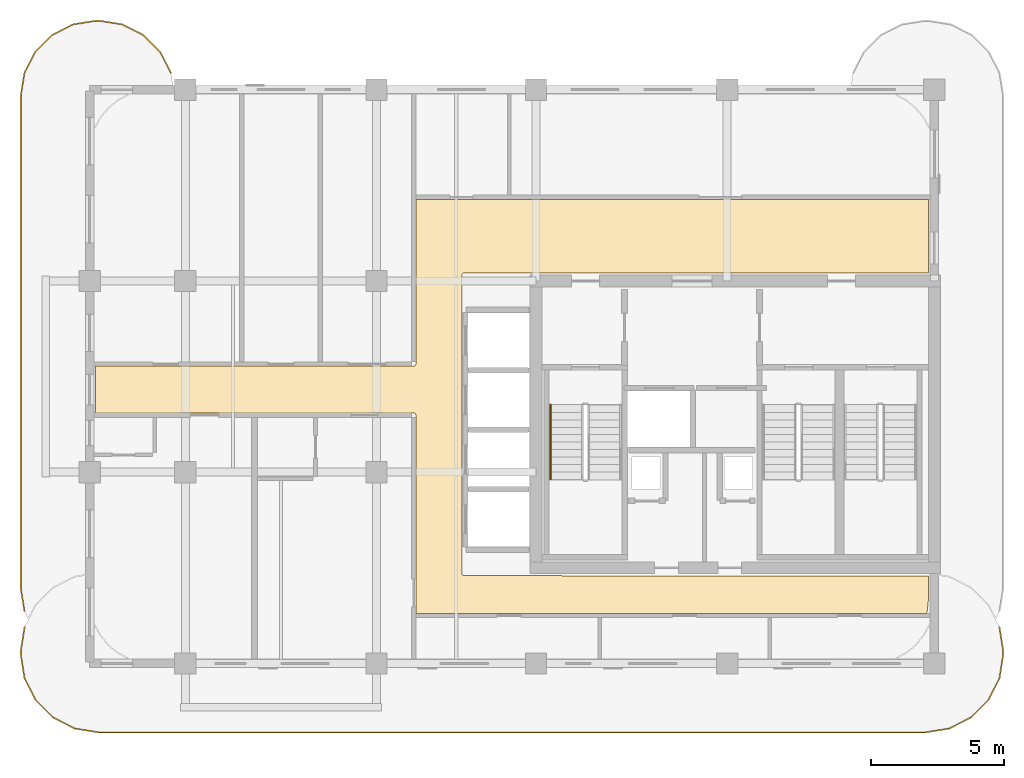
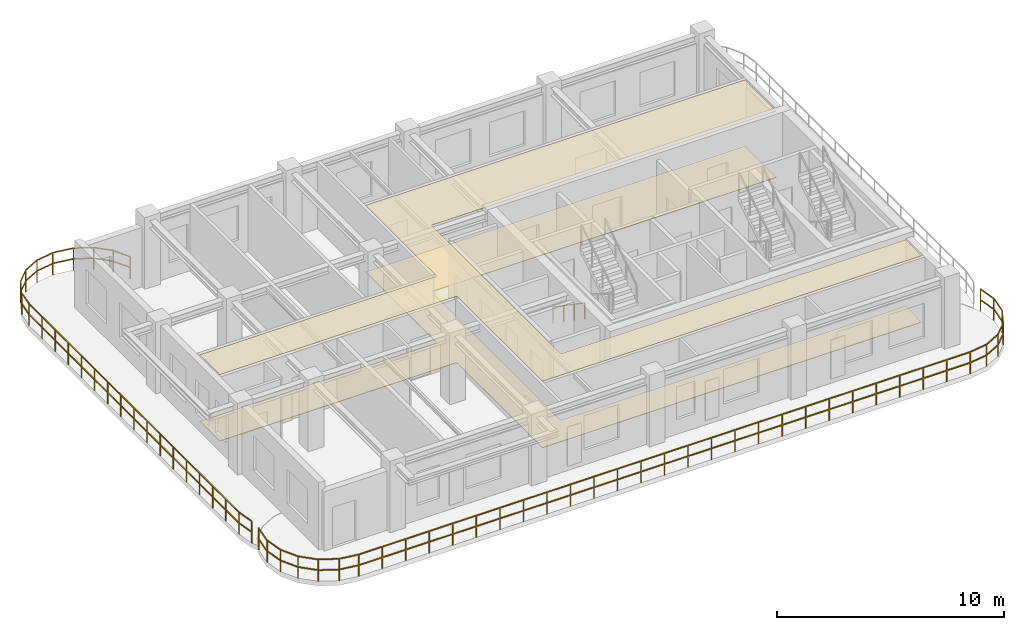
# One storey, part 6 of 7: 3 railings, 2 coverings.
"""IFC4 building model written with IfcOpenShell, lengths in metres."""

from ifc_helpers import new_model, si_unit, derived_unit, direction, frame, origin, origin_2d, place, context, subcontext, project, spatial, polyline, rectangle, outline, extrude, material, layer, layer_set, type_object, element, save


model = new_model("IFC4")

# Units and contexts
model_context = context("Model", 3, precision=1e-05, world=origin(), true_north=direction((0.0, 1.0)))
body_context = subcontext(model_context, "Body", "Model", "MODEL_VIEW")
ifc_project = project(units=[si_unit("LENGTHUNIT", "METRE"), si_unit("AREAUNIT", "SQUARE_METRE"), si_unit("VOLUMEUNIT", "CUBIC_METRE"), si_unit("PLANEANGLEUNIT", "RADIAN"), si_unit("MASSUNIT", "GRAM", prefix="KILO"), si_unit("THERMODYNAMICTEMPERATUREUNIT", "KELVIN"), si_unit("POWERUNIT", "WATT"), derived_unit("THERMALTRANSMITTANCEUNIT", [(si_unit("POWERUNIT", "WATT"), 1), (si_unit("AREAUNIT", "SQUARE_METRE"), -1), (si_unit("THERMODYNAMICTEMPERATUREUNIT", "KELVIN"), -1)])], contexts=[model_context])

# Site, building, storey
site_placement = place(None, origin())
site = spatial("IfcSite", under=ifc_project, at=site_placement, CompositionType="ELEMENT")
building_placement = place(site_placement, origin())
building = spatial("IfcBuilding", under=site, at=building_placement, Name="Zahravan Archway Hotel and Residences", CompositionType="ELEMENT")
storey_placement = place(building_placement, frame((0.0, 0.0, 271.199951171875)))
storey = spatial("IfcBuildingStorey", under=building, at=storey_placement, Name="L68", CompositionType="ELEMENT", Elevation=271.199951171875)

# Coverings
ifc_material_1 = material(Name="Perforated Acoustic Gypsum Ceiling")
ifc_layer_1 = layer(ifc_material_1, 0.02490234375, Name="Perforated Acoustic Gypsum Ceiling")
ifc_layer_set_1 = layer_set([ifc_layer_1], Name="Perforated Acoustic Gypsum Ceiling")
covering_type_1 = type_object("IfcCoveringType", Name="COV-CEIL-ACST", PredefinedType="CEILING", material=ifc_layer_set_1)
covering_1_placement = place(storey_placement, frame((0.0, 0.0, 3.574951171875)))
element("IfcCovering", 1, at=covering_1_placement, inside=storey, type_object=covering_type_1, Name="L68 Acoustic Corridor Ceiling", PredefinedType="CEILING", context=body_context, shape_type="SweptSolid", body=[
    extrude(outline(polyline([(30.215576171875, 11.19140625), (30.256591796875, 11.21337890625), (30.278564453125, 11.25439453125), (30.280029296875, 17.469970703125), (49.580078125, 17.469970703125), (49.580078125, 14.705078125), (32.10009765625, 14.705078125), (32.0556640625, 14.69140625), (32.026123046875, 14.655517578125), (32.02001953125, 3.375), (32.033447265625, 3.33056640625), (32.0693359375, 3.301025390625), (49.580078125, 3.294921875), (49.580078125, 2.410888671875), (49.537109375, 1.974853515625), (49.50830078125, 1.8798828125), (30.280029296875, 1.8798828125), (30.280029296875, 9.35009765625), (30.2666015625, 9.394287109375), (30.230712890625, 9.423828125), (18.219970703125, 9.429931640625), (18.219970703125, 11.18994140625), (30.199951171875, 11.18994140625), (30.215576171875, 11.19140625)])), origin(), (0.0, 0.0, 1.0), 0.025146484375),
])
ifc_material_2 = material(Name="Honed Margalla Limestone & Mortar Bed", Category="masonry")
ifc_layer_2 = layer(ifc_material_2, 0.030029296875, Name="Honed Margalla Limestone & Mortar Bed", Category="masonry")
ifc_layer_set_2 = layer_set([ifc_layer_2], Name="Honed Margalla Limestone & Mortar Bed")
covering_type_2 = type_object("IfcCoveringType", Name="COV-FLR-STONE", PredefinedType="FLOORING", material=ifc_layer_set_2)
covering_2_placement = place(storey_placement, origin())
element("IfcCovering", 2, at=covering_2_placement, inside=storey, type_object=covering_type_2, Name="L68 Circulation Floor Finish", PredefinedType="FLOORING", context=body_context, shape_type="SweptSolid", body=[
    extrude(outline(polyline([(30.215576171875, 11.19140625), (30.256591796875, 11.21337890625), (30.278564453125, 11.25439453125), (30.280029296875, 17.469970703125), (49.580078125, 17.469970703125), (49.580078125, 14.705078125), (32.10009765625, 14.705078125), (32.0556640625, 14.69140625), (32.026123046875, 14.655517578125), (32.02001953125, 3.375), (32.033447265625, 3.33056640625), (32.0693359375, 3.301025390625), (49.580078125, 3.294921875), (49.580078125, 2.410888671875), (49.537109375, 1.974853515625), (49.50830078125, 1.8798828125), (30.280029296875, 1.8798828125), (30.280029296875, 9.35009765625), (30.2666015625, 9.394287109375), (30.230712890625, 9.423828125), (18.219970703125, 9.429931640625), (18.219970703125, 11.18994140625), (30.199951171875, 11.18994140625), (30.215576171875, 11.19140625)])), origin(), (0.0, 0.0, 1.0), 0.030029296875),
])

# Railings
ifc_material_3 = material(Name="Bronze & Laminated Glass Balustrade", Category="glass")
railing_type_1 = type_object("IfcRailingType", Name="RL-BAL-1200", PredefinedType="BALUSTRADE", material=ifc_material_3)
railing_1_placement = place(storey_placement, frame((52.255615234375, 1.361572265625, 0.0)))
element("IfcRailing", 3, at=railing_1_placement, inside=storey, type_object=railing_type_1, Name="L68 Balustrade RL-SLB-BAL-L68-SA-1", PredefinedType="BALUSTRADE", context=body_context, shape_type="SweptSolid", body=[
    extrude(rectangle(XDim=0.048095703125, YDim=0.048095703125, at=origin_2d()), frame((0.0, 0.0, 1.17578125), z_axis=(0.156329311416, -0.987704989555, 0.0), x_axis=(0.987704989555, 0.156329311416, 0.0)), (0.0, 0.0, 1.0), 0.9228515625),
    extrude(rectangle(XDim=0.048095703125, YDim=0.048095703125, at=origin_2d()), frame((0.0, 0.0, 0.60009765625), z_axis=(0.156329311416, -0.987704989555, 0.0), x_axis=(0.987704989555, 0.156329311416, 0.0)), (0.0, 0.0, 1.0), 0.9228515625),
    extrude(rectangle(XDim=0.048095703125, YDim=0.048095703125, at=origin_2d()), frame((0.144287109375, -0.91162109375, 1.17578125), z_axis=(0.0, -1.0, 0.0), x_axis=(1.0, 0.0, 0.0)), (0.0, 0.0, 1.0), 0.099853515625),
    extrude(rectangle(XDim=0.048095703125, YDim=0.048095703125, at=origin_2d()), frame((0.144287109375, -0.91162109375, 0.60009765625), z_axis=(0.0, -1.0, 0.0), x_axis=(1.0, 0.0, 0.0)), (0.0, 0.0, 1.0), 0.099853515625),
    extrude(rectangle(XDim=0.048095703125, YDim=0.048095703125, at=origin_2d()), frame((0.144287109375, -1.011474609375, 1.17578125), z_axis=(-0.156329311416, -0.987704989555, 0.0), x_axis=(0.987704989555, -0.156329311416, 0.0)), (0.0, 0.0, 1.0), 0.9228515625),
    extrude(rectangle(XDim=0.048095703125, YDim=0.048095703125, at=origin_2d()), frame((0.144287109375, -1.011474609375, 0.60009765625), z_axis=(-0.156329311416, -0.987704989555, 0.0), x_axis=(0.987704989555, -0.156329311416, 0.0)), (0.0, 0.0, 1.0), 0.9228515625),
    extrude(rectangle(XDim=0.048095703125, YDim=0.048095703125, at=origin_2d()), frame((0.0, -1.923095703125, 1.17578125), z_axis=(-0.453866348456, -0.891069771532, 0.0), x_axis=(0.891069771532, -0.453866348456, 0.0)), (0.0, 0.0, 1.0), 0.923095703125),
    extrude(rectangle(XDim=0.048095703125, YDim=0.048095703125, at=origin_2d()), frame((0.0, -1.923095703125, 0.60009765625), z_axis=(-0.453866348456, -0.891069771532, 0.0), x_axis=(0.891069771532, -0.453866348456, 0.0)), (0.0, 0.0, 1.0), 0.923095703125),
    extrude(rectangle(XDim=0.048095703125, YDim=0.048095703125, at=origin_2d()), frame((-0.4189453125, -2.74560546875, 1.17578125), z_axis=(-0.707106781187, -0.707106781187, 0.0), x_axis=(0.707106781187, -0.707106781187, 0.0)), (0.0, 0.0, 1.0), 0.9228515625),
    extrude(rectangle(XDim=0.048095703125, YDim=0.048095703125, at=origin_2d()), frame((-0.4189453125, -2.74560546875, 0.60009765625), z_axis=(-0.707106781187, -0.707106781187, 0.0), x_axis=(0.707106781187, -0.707106781187, 0.0)), (0.0, 0.0, 1.0), 0.9228515625),
    extrude(rectangle(XDim=0.048095703125, YDim=0.048095703125, at=origin_2d()), frame((-1.071533203125, -3.398193359375, 1.17578125), z_axis=(-0.891069771532, -0.453866348456, 0.0), x_axis=(0.453866348456, -0.891069771532, 0.0)), (0.0, 0.0, 1.0), 0.923095703125),
    extrude(rectangle(XDim=0.048095703125, YDim=0.048095703125, at=origin_2d()), frame((-1.071533203125, -3.398193359375, 0.60009765625), z_axis=(-0.891069771532, -0.453866348456, 0.0), x_axis=(0.453866348456, -0.891069771532, 0.0)), (0.0, 0.0, 1.0), 0.923095703125),
    extrude(rectangle(XDim=0.048095703125, YDim=0.048095703125, at=origin_2d()), frame((-1.89404296875, -3.817138671875, 1.17578125), z_axis=(-0.98766411426, -0.156587347521, 0.0), x_axis=(0.156587347521, -0.98766411426, 0.0)), (0.0, 0.0, 1.0), 0.923095703125),
    extrude(rectangle(XDim=0.048095703125, YDim=0.048095703125, at=origin_2d()), frame((-1.89404296875, -3.817138671875, 0.60009765625), z_axis=(-0.98766411426, -0.156587347521, 0.0), x_axis=(0.156587347521, -0.98766411426, 0.0)), (0.0, 0.0, 1.0), 0.923095703125),
    extrude(rectangle(XDim=0.048095703125, YDim=0.048095703125, at=origin_2d()), frame((-2.8056640625, -3.961669921875, 1.17578125), z_axis=(-1.0, 0.0, 0.0), x_axis=(0.0, -1.0, 0.0)), (0.0, 0.0, 1.0), 31.099853515625),
    extrude(rectangle(XDim=0.048095703125, YDim=0.048095703125, at=origin_2d()), frame((-2.8056640625, -3.961669921875, 0.60009765625), z_axis=(-1.0, 0.0, 0.0), x_axis=(0.0, -1.0, 0.0)), (0.0, 0.0, 1.0), 31.099853515625),
    extrude(rectangle(XDim=0.048095703125, YDim=0.048095703125, at=origin_2d()), frame((-33.905517578125, -3.961669921875, 1.17578125), z_axis=(-0.98766411426, 0.156587347521, 0.0), x_axis=(-0.156587347521, -0.98766411426, 0.0)), (0.0, 0.0, 1.0), 0.923095703125),
    extrude(rectangle(XDim=0.048095703125, YDim=0.048095703125, at=origin_2d()), frame((-33.905517578125, -3.961669921875, 0.60009765625), z_axis=(-0.98766411426, 0.156587347521, 0.0), x_axis=(-0.156587347521, -0.98766411426, 0.0)), (0.0, 0.0, 1.0), 0.923095703125),
    extrude(rectangle(XDim=0.048095703125, YDim=0.048095703125, at=origin_2d()), frame((-34.817138671875, -3.817138671875, 1.17578125), z_axis=(-0.891069771532, 0.453866348456, 0.0), x_axis=(-0.453866348456, -0.891069771532, 0.0)), (0.0, 0.0, 1.0), 0.923095703125),
    extrude(rectangle(XDim=0.048095703125, YDim=0.048095703125, at=origin_2d()), frame((-34.817138671875, -3.817138671875, 0.60009765625), z_axis=(-0.891069771532, 0.453866348456, 0.0), x_axis=(-0.453866348456, -0.891069771532, 0.0)), (0.0, 0.0, 1.0), 0.923095703125),
    extrude(rectangle(XDim=0.048095703125, YDim=0.048095703125, at=origin_2d()), frame((-35.6396484375, -3.398193359375, 1.17578125), z_axis=(-0.707106781187, 0.707106781187, 0.0), x_axis=(-0.707106781187, -0.707106781187, 0.0)), (0.0, 0.0, 1.0), 0.9228515625),
    extrude(rectangle(XDim=0.048095703125, YDim=0.048095703125, at=origin_2d()), frame((-35.6396484375, -3.398193359375, 0.60009765625), z_axis=(-0.707106781187, 0.707106781187, 0.0), x_axis=(-0.707106781187, -0.707106781187, 0.0)), (0.0, 0.0, 1.0), 0.9228515625),
    extrude(rectangle(XDim=0.048095703125, YDim=0.048095703125, at=origin_2d()), frame((-36.292236328125, -2.74560546875, 1.17578125), z_axis=(-0.453866348456, 0.891069771532, 0.0), x_axis=(-0.891069771532, -0.453866348456, 0.0)), (0.0, 0.0, 1.0), 0.923095703125),
    extrude(rectangle(XDim=0.048095703125, YDim=0.048095703125, at=origin_2d()), frame((-36.292236328125, -2.74560546875, 0.60009765625), z_axis=(-0.453866348456, 0.891069771532, 0.0), x_axis=(-0.891069771532, -0.453866348456, 0.0)), (0.0, 0.0, 1.0), 0.923095703125),
    extrude(rectangle(XDim=0.048095703125, YDim=0.048095703125, at=origin_2d()), frame((-36.711181640625, -1.923095703125, 1.17578125), z_axis=(-0.156587347521, 0.98766411426, 0.0), x_axis=(-0.98766411426, -0.156587347521, 0.0)), (0.0, 0.0, 1.0), 0.923095703125),
    extrude(rectangle(XDim=0.048095703125, YDim=0.048095703125, at=origin_2d()), frame((-36.711181640625, -1.923095703125, 0.60009765625), z_axis=(-0.156587347521, 0.98766411426, 0.0), x_axis=(-0.98766411426, -0.156587347521, 0.0)), (0.0, 0.0, 1.0), 0.923095703125),
    extrude(rectangle(XDim=0.048095703125, YDim=0.048095703125, at=origin_2d()), frame((-36.855712890625, -1.011474609375, 1.17578125), z_axis=(0.0, 1.0, 0.0), x_axis=(-1.0, 0.0, 0.0)), (0.0, 0.0, 1.0), 0.099853515625),
    extrude(rectangle(XDim=0.048095703125, YDim=0.048095703125, at=origin_2d()), frame((-36.855712890625, -1.011474609375, 0.60009765625), z_axis=(0.0, 1.0, 0.0), x_axis=(-1.0, 0.0, 0.0)), (0.0, 0.0, 1.0), 0.099853515625),
    extrude(rectangle(XDim=0.048095703125, YDim=0.048095703125, at=origin_2d()), frame((-36.855712890625, -0.91162109375, 1.17578125), z_axis=(0.156587347521, 0.98766411426, 0.0), x_axis=(-0.98766411426, 0.156587347521, 0.0)), (0.0, 0.0, 1.0), 0.923095703125),
    extrude(rectangle(XDim=0.048095703125, YDim=0.048095703125, at=origin_2d()), frame((-36.855712890625, -0.91162109375, 0.60009765625), z_axis=(0.156587347521, 0.98766411426, 0.0), x_axis=(-0.98766411426, 0.156587347521, 0.0)), (0.0, 0.0, 1.0), 0.923095703125),
    extrude(rectangle(XDim=0.0419921875, YDim=0.0419921875, at=origin_2d()), origin(), (0.0, 0.0, 1.0), 1.15185546875),
    extrude(rectangle(XDim=0.0419921875, YDim=0.0419921875, at=origin_2d()), frame((0.144287109375, -0.91162109375, 0.0)), (0.0, 0.0, 1.0), 1.15185546875),
    extrude(rectangle(XDim=0.0419921875, YDim=0.0419921875, at=origin_2d()), frame((0.0, -1.923095703125, 0.0)), (0.0, 0.0, 1.0), 1.15185546875),
    extrude(rectangle(XDim=0.0419921875, YDim=0.0419921875, at=origin_2d()), frame((-0.4189453125, -2.74560546875, 0.0)), (0.0, 0.0, 1.0), 1.15185546875),
    extrude(rectangle(XDim=0.0419921875, YDim=0.0419921875, at=origin_2d()), frame((-1.071533203125, -3.398193359375, 0.0)), (0.0, 0.0, 1.0), 1.15185546875),
    extrude(rectangle(XDim=0.0419921875, YDim=0.0419921875, at=origin_2d()), frame((-1.89404296875, -3.817138671875, 0.0)), (0.0, 0.0, 1.0), 1.15185546875),
    extrude(rectangle(XDim=0.0419921875, YDim=0.0419921875, at=origin_2d()), frame((-2.8056640625, -3.961669921875, 0.0)), (0.0, 0.0, 1.0), 1.15185546875),
    extrude(rectangle(XDim=0.0419921875, YDim=0.0419921875, at=origin_2d()), frame((-4.001708984375, -3.961669921875, 0.0)), (0.0, 0.0, 1.0), 1.15185546875),
    extrude(rectangle(XDim=0.0419921875, YDim=0.0419921875, at=origin_2d()), frame((-5.197998046875, -3.961669921875, 0.0)), (0.0, 0.0, 1.0), 1.15185546875),
    extrude(rectangle(XDim=0.0419921875, YDim=0.0419921875, at=origin_2d()), frame((-6.39404296875, -3.961669921875, 0.0)), (0.0, 0.0, 1.0), 1.15185546875),
    extrude(rectangle(XDim=0.0419921875, YDim=0.0419921875, at=origin_2d()), frame((-7.59033203125, -3.961669921875, 0.0)), (0.0, 0.0, 1.0), 1.15185546875),
    extrude(rectangle(XDim=0.0419921875, YDim=0.0419921875, at=origin_2d()), frame((-8.786376953125, -3.961669921875, 0.0)), (0.0, 0.0, 1.0), 1.15185546875),
    extrude(rectangle(XDim=0.0419921875, YDim=0.0419921875, at=origin_2d()), frame((-9.982666015625, -3.961669921875, 0.0)), (0.0, 0.0, 1.0), 1.15185546875),
    extrude(rectangle(XDim=0.0419921875, YDim=0.0419921875, at=origin_2d()), frame((-11.1787109375, -3.961669921875, 0.0)), (0.0, 0.0, 1.0), 1.15185546875),
    extrude(rectangle(XDim=0.0419921875, YDim=0.0419921875, at=origin_2d()), frame((-12.374755859375, -3.961669921875, 0.0)), (0.0, 0.0, 1.0), 1.15185546875),
    extrude(rectangle(XDim=0.0419921875, YDim=0.0419921875, at=origin_2d()), frame((-13.571044921875, -3.961669921875, 0.0)), (0.0, 0.0, 1.0), 1.15185546875),
    extrude(rectangle(XDim=0.0419921875, YDim=0.0419921875, at=origin_2d()), frame((-14.76708984375, -3.961669921875, 0.0)), (0.0, 0.0, 1.0), 1.15185546875),
    extrude(rectangle(XDim=0.0419921875, YDim=0.0419921875, at=origin_2d()), frame((-15.96337890625, -3.961669921875, 0.0)), (0.0, 0.0, 1.0), 1.15185546875),
    extrude(rectangle(XDim=0.0419921875, YDim=0.0419921875, at=origin_2d()), frame((-17.159423828125, -3.961669921875, 0.0)), (0.0, 0.0, 1.0), 1.15185546875),
    extrude(rectangle(XDim=0.0419921875, YDim=0.0419921875, at=origin_2d()), frame((-18.35546875, -3.961669921875, 0.0)), (0.0, 0.0, 1.0), 1.15185546875),
    extrude(rectangle(XDim=0.0419921875, YDim=0.0419921875, at=origin_2d()), frame((-19.5517578125, -3.961669921875, 0.0)), (0.0, 0.0, 1.0), 1.15185546875),
    extrude(rectangle(XDim=0.0419921875, YDim=0.0419921875, at=origin_2d()), frame((-20.747802734375, -3.961669921875, 0.0)), (0.0, 0.0, 1.0), 1.15185546875),
    extrude(rectangle(XDim=0.0419921875, YDim=0.0419921875, at=origin_2d()), frame((-21.944091796875, -3.961669921875, 0.0)), (0.0, 0.0, 1.0), 1.15185546875),
    extrude(rectangle(XDim=0.0419921875, YDim=0.0419921875, at=origin_2d()), frame((-23.14013671875, -3.961669921875, 0.0)), (0.0, 0.0, 1.0), 1.15185546875),
    extrude(rectangle(XDim=0.0419921875, YDim=0.0419921875, at=origin_2d()), frame((-24.33642578125, -3.961669921875, 0.0)), (0.0, 0.0, 1.0), 1.15185546875),
    extrude(rectangle(XDim=0.0419921875, YDim=0.0419921875, at=origin_2d()), frame((-25.532470703125, -3.961669921875, 0.0)), (0.0, 0.0, 1.0), 1.15185546875),
    extrude(rectangle(XDim=0.0419921875, YDim=0.0419921875, at=origin_2d()), frame((-26.728515625, -3.961669921875, 0.0)), (0.0, 0.0, 1.0), 1.15185546875),
    extrude(rectangle(XDim=0.0419921875, YDim=0.0419921875, at=origin_2d()), frame((-27.9248046875, -3.961669921875, 0.0)), (0.0, 0.0, 1.0), 1.15185546875),
    extrude(rectangle(XDim=0.0419921875, YDim=0.0419921875, at=origin_2d()), frame((-29.120849609375, -3.961669921875, 0.0)), (0.0, 0.0, 1.0), 1.15185546875),
    extrude(rectangle(XDim=0.0419921875, YDim=0.0419921875, at=origin_2d()), frame((-30.317138671875, -3.961669921875, 0.0)), (0.0, 0.0, 1.0), 1.15185546875),
    extrude(rectangle(XDim=0.0419921875, YDim=0.0419921875, at=origin_2d()), frame((-31.51318359375, -3.961669921875, 0.0)), (0.0, 0.0, 1.0), 1.15185546875),
    extrude(rectangle(XDim=0.0419921875, YDim=0.0419921875, at=origin_2d()), frame((-32.70947265625, -3.961669921875, 0.0)), (0.0, 0.0, 1.0), 1.15185546875),
    extrude(rectangle(XDim=0.0419921875, YDim=0.0419921875, at=origin_2d()), frame((-33.905517578125, -3.961669921875, 0.0)), (0.0, 0.0, 1.0), 1.15185546875),
    extrude(rectangle(XDim=0.0419921875, YDim=0.0419921875, at=origin_2d()), frame((-34.817138671875, -3.817138671875, 0.0)), (0.0, 0.0, 1.0), 1.15185546875),
    extrude(rectangle(XDim=0.0419921875, YDim=0.0419921875, at=origin_2d()), frame((-35.6396484375, -3.398193359375, 0.0)), (0.0, 0.0, 1.0), 1.15185546875),
    extrude(rectangle(XDim=0.0419921875, YDim=0.0419921875, at=origin_2d()), frame((-36.292236328125, -2.74560546875, 0.0)), (0.0, 0.0, 1.0), 1.15185546875),
    extrude(rectangle(XDim=0.0419921875, YDim=0.0419921875, at=origin_2d()), frame((-36.711181640625, -1.923095703125, 0.0)), (0.0, 0.0, 1.0), 1.15185546875),
    extrude(rectangle(XDim=0.0419921875, YDim=0.0419921875, at=origin_2d()), frame((-36.855712890625, -1.011474609375, 0.0)), (0.0, 0.0, 1.0), 1.15185546875),
    extrude(rectangle(XDim=0.0419921875, YDim=0.0419921875, at=origin_2d()), frame((-36.711181640625, 0.0, 0.0)), (0.0, 0.0, 1.0), 1.15185546875),
])
railing_2_placement = place(storey_placement, frame((15.53955078125, 1.96923828125, 0.0)))
element("IfcRailing", 4, at=railing_2_placement, inside=storey, type_object=railing_type_1, Name="L68 Balustrade RL-SLB-BAL-L68-WA-1", PredefinedType="BALUSTRADE", context=body_context, shape_type="SweptSolid", body=[
    extrude(rectangle(XDim=0.048095703125, YDim=0.048095703125, at=origin_2d()), frame((0.0, 0.0, 1.17578125), z_axis=(-0.156581054338, 0.98766511198, 0.0), x_axis=(-0.98766511198, -0.156581054338, 0.0)), (0.0, 0.0, 1.0), 0.891845703125),
    extrude(rectangle(XDim=0.048095703125, YDim=0.048095703125, at=origin_2d()), frame((0.0, 0.0, 0.60009765625), z_axis=(-0.156581054338, 0.98766511198, 0.0), x_axis=(-0.98766511198, -0.156581054338, 0.0)), (0.0, 0.0, 1.0), 0.891845703125),
    extrude(rectangle(XDim=0.048095703125, YDim=0.048095703125, at=origin_2d()), frame((-0.1396484375, 0.880859375, 1.17578125), z_axis=(0.0, 1.0, 0.0), x_axis=(-1.0, 0.0, 0.0)), (0.0, 0.0, 1.0), 18.5),
    extrude(rectangle(XDim=0.048095703125, YDim=0.048095703125, at=origin_2d()), frame((-0.1396484375, 0.880859375, 0.60009765625), z_axis=(0.0, 1.0, 0.0), x_axis=(-1.0, 0.0, 0.0)), (0.0, 0.0, 1.0), 18.5),
    extrude(rectangle(XDim=0.048095703125, YDim=0.048095703125, at=origin_2d()), frame((-0.1396484375, 19.380859375, 1.17578125), z_axis=(0.156623399917, 0.987658397726, 0.0), x_axis=(-0.987658397726, 0.156623399917, 0.0)), (0.0, 0.0, 1.0), 0.8916015625),
    extrude(rectangle(XDim=0.048095703125, YDim=0.048095703125, at=origin_2d()), frame((-0.1396484375, 19.380859375, 0.60009765625), z_axis=(0.156623399917, 0.987658397726, 0.0), x_axis=(-0.987658397726, 0.156623399917, 0.0)), (0.0, 0.0, 1.0), 0.8916015625),
    extrude(rectangle(XDim=0.048095703125, YDim=0.048095703125, at=origin_2d()), frame((0.0, 20.261474609375, 1.17578125), z_axis=(0.453991409995, 0.891006060389, 0.0), x_axis=(-0.891006060389, 0.453991409995, 0.0)), (0.0, 0.0, 1.0), 0.8916015625),
    extrude(rectangle(XDim=0.048095703125, YDim=0.048095703125, at=origin_2d()), frame((0.0, 20.261474609375, 0.60009765625), z_axis=(0.453991409995, 0.891006060389, 0.0), x_axis=(-0.891006060389, 0.453991409995, 0.0)), (0.0, 0.0, 1.0), 0.8916015625),
    extrude(rectangle(XDim=0.048095703125, YDim=0.048095703125, at=origin_2d()), frame((0.40478515625, 21.055908203125, 1.17578125), z_axis=(0.706969864397, 0.70724367147, 0.0), x_axis=(-0.70724367147, 0.706969864397, 0.0)), (0.0, 0.0, 1.0), 0.8916015625),
    extrude(rectangle(XDim=0.048095703125, YDim=0.048095703125, at=origin_2d()), frame((0.40478515625, 21.055908203125, 0.60009765625), z_axis=(0.706969864397, 0.70724367147, 0.0), x_axis=(-0.70724367147, 0.706969864397, 0.0)), (0.0, 0.0, 1.0), 0.8916015625),
    extrude(rectangle(XDim=0.048095703125, YDim=0.048095703125, at=origin_2d()), frame((1.03515625, 21.6865234375, 1.17578125), z_axis=(0.891062476022, 0.45388067135, 0.0), x_axis=(-0.45388067135, 0.891062476022, 0.0)), (0.0, 0.0, 1.0), 0.891845703125),
    extrude(rectangle(XDim=0.048095703125, YDim=0.048095703125, at=origin_2d()), frame((1.03515625, 21.6865234375, 0.60009765625), z_axis=(0.891062476022, 0.45388067135, 0.0), x_axis=(-0.45388067135, 0.891062476022, 0.0)), (0.0, 0.0, 1.0), 0.891845703125),
    extrude(rectangle(XDim=0.048095703125, YDim=0.048095703125, at=origin_2d()), frame((1.829833984375, 22.09130859375, 1.17578125), z_axis=(0.987700720307, 0.156356282588, 0.0), x_axis=(-0.156356282588, 0.987700720307, 0.0)), (0.0, 0.0, 1.0), 0.8916015625),
    extrude(rectangle(XDim=0.048095703125, YDim=0.048095703125, at=origin_2d()), frame((1.829833984375, 22.09130859375, 0.60009765625), z_axis=(0.987700720307, 0.156356282588, 0.0), x_axis=(-0.156356282588, 0.987700720307, 0.0)), (0.0, 0.0, 1.0), 0.8916015625),
    extrude(rectangle(XDim=0.048095703125, YDim=0.048095703125, at=origin_2d()), frame((2.71044921875, 22.230712890625, 1.17578125), z_axis=(1.0, 0.0, 0.0), x_axis=(0.0, 1.0, 0.0)), (0.0, 0.0, 1.0), 0.10009765625),
    extrude(rectangle(XDim=0.048095703125, YDim=0.048095703125, at=origin_2d()), frame((2.71044921875, 22.230712890625, 0.60009765625), z_axis=(1.0, 0.0, 0.0), x_axis=(0.0, 1.0, 0.0)), (0.0, 0.0, 1.0), 0.10009765625),
    extrude(rectangle(XDim=0.048095703125, YDim=0.048095703125, at=origin_2d()), frame((2.810546875, 22.230712890625, 1.17578125), z_axis=(0.987700720307, -0.156356282588, 0.0), x_axis=(0.156356282588, 0.987700720307, 0.0)), (0.0, 0.0, 1.0), 0.8916015625),
    extrude(rectangle(XDim=0.048095703125, YDim=0.048095703125, at=origin_2d()), frame((2.810546875, 22.230712890625, 0.60009765625), z_axis=(0.987700720307, -0.156356282588, 0.0), x_axis=(0.156356282588, 0.987700720307, 0.0)), (0.0, 0.0, 1.0), 0.8916015625),
    extrude(rectangle(XDim=0.048095703125, YDim=0.048095703125, at=origin_2d()), frame((3.691162109375, 22.09130859375, 1.17578125), z_axis=(0.891006060389, -0.453991409995, 0.0), x_axis=(0.453991409995, 0.891006060389, 0.0)), (0.0, 0.0, 1.0), 0.8916015625),
    extrude(rectangle(XDim=0.048095703125, YDim=0.048095703125, at=origin_2d()), frame((3.691162109375, 22.09130859375, 0.60009765625), z_axis=(0.891006060389, -0.453991409995, 0.0), x_axis=(0.453991409995, 0.891006060389, 0.0)), (0.0, 0.0, 1.0), 0.8916015625),
    extrude(rectangle(XDim=0.048095703125, YDim=0.048095703125, at=origin_2d()), frame((4.485595703125, 21.6865234375, 1.17578125), z_axis=(0.707106781187, -0.707106781187, 0.0), x_axis=(0.707106781187, 0.707106781187, 0.0)), (0.0, 0.0, 1.0), 0.891845703125),
    extrude(rectangle(XDim=0.048095703125, YDim=0.048095703125, at=origin_2d()), frame((4.485595703125, 21.6865234375, 0.60009765625), z_axis=(0.707106781187, -0.707106781187, 0.0), x_axis=(0.707106781187, 0.707106781187, 0.0)), (0.0, 0.0, 1.0), 0.891845703125),
    extrude(rectangle(XDim=0.048095703125, YDim=0.048095703125, at=origin_2d()), frame((5.1162109375, 21.055908203125, 1.17578125), z_axis=(0.453991409995, -0.891006060389, 0.0), x_axis=(0.891006060389, 0.453991409995, 0.0)), (0.0, 0.0, 1.0), 0.8916015625),
    extrude(rectangle(XDim=0.048095703125, YDim=0.048095703125, at=origin_2d()), frame((5.1162109375, 21.055908203125, 0.60009765625), z_axis=(0.453991409995, -0.891006060389, 0.0), x_axis=(0.891006060389, 0.453991409995, 0.0)), (0.0, 0.0, 1.0), 0.8916015625),
    extrude(rectangle(XDim=0.0419921875, YDim=0.0419921875, at=origin_2d()), origin(), (0.0, 0.0, 1.0), 1.15185546875),
    extrude(rectangle(XDim=0.0419921875, YDim=0.0419921875, at=origin_2d()), frame((-0.1396484375, 0.880859375, 0.0)), (0.0, 0.0, 1.0), 1.15185546875),
    extrude(rectangle(XDim=0.0419921875, YDim=0.0419921875, at=origin_2d()), frame((-0.1396484375, 2.037109375, 0.0)), (0.0, 0.0, 1.0), 1.15185546875),
    extrude(rectangle(XDim=0.0419921875, YDim=0.0419921875, at=origin_2d()), frame((-0.1396484375, 3.193359375, 0.0)), (0.0, 0.0, 1.0), 1.15185546875),
    extrude(rectangle(XDim=0.0419921875, YDim=0.0419921875, at=origin_2d()), frame((-0.1396484375, 4.349609375, 0.0)), (0.0, 0.0, 1.0), 1.15185546875),
    extrude(rectangle(XDim=0.0419921875, YDim=0.0419921875, at=origin_2d()), frame((-0.1396484375, 5.505859375, 0.0)), (0.0, 0.0, 1.0), 1.15185546875),
    extrude(rectangle(XDim=0.0419921875, YDim=0.0419921875, at=origin_2d()), frame((-0.1396484375, 6.662109375, 0.0)), (0.0, 0.0, 1.0), 1.15185546875),
    extrude(rectangle(XDim=0.0419921875, YDim=0.0419921875, at=origin_2d()), frame((-0.1396484375, 7.818359375, 0.0)), (0.0, 0.0, 1.0), 1.15185546875),
    extrude(rectangle(XDim=0.0419921875, YDim=0.0419921875, at=origin_2d()), frame((-0.1396484375, 8.974609375, 0.0)), (0.0, 0.0, 1.0), 1.15185546875),
    extrude(rectangle(XDim=0.0419921875, YDim=0.0419921875, at=origin_2d()), frame((-0.1396484375, 10.130859375, 0.0)), (0.0, 0.0, 1.0), 1.15185546875),
    extrude(rectangle(XDim=0.0419921875, YDim=0.0419921875, at=origin_2d()), frame((-0.1396484375, 11.287109375, 0.0)), (0.0, 0.0, 1.0), 1.15185546875),
    extrude(rectangle(XDim=0.0419921875, YDim=0.0419921875, at=origin_2d()), frame((-0.1396484375, 12.443359375, 0.0)), (0.0, 0.0, 1.0), 1.15185546875),
    extrude(rectangle(XDim=0.0419921875, YDim=0.0419921875, at=origin_2d()), frame((-0.1396484375, 13.599609375, 0.0)), (0.0, 0.0, 1.0), 1.15185546875),
    extrude(rectangle(XDim=0.0419921875, YDim=0.0419921875, at=origin_2d()), frame((-0.1396484375, 14.755859375, 0.0)), (0.0, 0.0, 1.0), 1.15185546875),
    extrude(rectangle(XDim=0.0419921875, YDim=0.0419921875, at=origin_2d()), frame((-0.1396484375, 15.912109375, 0.0)), (0.0, 0.0, 1.0), 1.15185546875),
    extrude(rectangle(XDim=0.0419921875, YDim=0.0419921875, at=origin_2d()), frame((-0.1396484375, 17.068359375, 0.0)), (0.0, 0.0, 1.0), 1.15185546875),
    extrude(rectangle(XDim=0.0419921875, YDim=0.0419921875, at=origin_2d()), frame((-0.1396484375, 18.224609375, 0.0)), (0.0, 0.0, 1.0), 1.15185546875),
    extrude(rectangle(XDim=0.0419921875, YDim=0.0419921875, at=origin_2d()), frame((-0.1396484375, 19.380859375, 0.0)), (0.0, 0.0, 1.0), 1.15185546875),
    extrude(rectangle(XDim=0.0419921875, YDim=0.0419921875, at=origin_2d()), frame((0.0, 20.261474609375, 0.0)), (0.0, 0.0, 1.0), 1.15185546875),
    extrude(rectangle(XDim=0.0419921875, YDim=0.0419921875, at=origin_2d()), frame((0.40478515625, 21.055908203125, 0.0)), (0.0, 0.0, 1.0), 1.15185546875),
    extrude(rectangle(XDim=0.0419921875, YDim=0.0419921875, at=origin_2d()), frame((1.03515625, 21.6865234375, 0.0)), (0.0, 0.0, 1.0), 1.15185546875),
    extrude(rectangle(XDim=0.0419921875, YDim=0.0419921875, at=origin_2d()), frame((1.829833984375, 22.09130859375, 0.0)), (0.0, 0.0, 1.0), 1.15185546875),
    extrude(rectangle(XDim=0.0419921875, YDim=0.0419921875, at=origin_2d()), frame((2.71044921875, 22.230712890625, 0.0)), (0.0, 0.0, 1.0), 1.15185546875),
    extrude(rectangle(XDim=0.0419921875, YDim=0.0419921875, at=origin_2d()), frame((3.691162109375, 22.09130859375, 0.0)), (0.0, 0.0, 1.0), 1.15185546875),
    extrude(rectangle(XDim=0.0419921875, YDim=0.0419921875, at=origin_2d()), frame((4.485595703125, 21.6865234375, 0.0)), (0.0, 0.0, 1.0), 1.15185546875),
    extrude(rectangle(XDim=0.0419921875, YDim=0.0419921875, at=origin_2d()), frame((5.1162109375, 21.055908203125, 0.0)), (0.0, 0.0, 1.0), 1.15185546875),
    extrude(rectangle(XDim=0.0419921875, YDim=0.0419921875, at=origin_2d()), frame((5.52099609375, 20.261474609375, 0.0)), (0.0, 0.0, 1.0), 1.15185546875),
])
ifc_material_4 = material(Name="Brushed Stainless Steel", Category="steel")
railing_type_2 = type_object("IfcRailingType", Name="RL-STH-900", PredefinedType="HANDRAIL", material=ifc_material_4)
railing_3_placement = place(storey_placement, frame((35.35009765625, 9.72998046875, 0.175048828125)))
element("IfcRailing", 5, at=railing_3_placement, inside=storey, type_object=railing_type_2, Name="L68 ST-A1 stair handrail 1", PredefinedType="HANDRAIL", context=body_context, shape_type="SweptSolid", body=[
    extrude(rectangle(XDim=0.048095703125, YDim=0.048095703125, at=origin_2d()), frame((0.0, 0.0, 0.8759765625), z_axis=(0.0, -0.824039827795, 0.566531872191), x_axis=(1.0, 0.0, 0.0)), (0.0, 0.0, 1.0), 3.39794921875),
    extrude(rectangle(XDim=0.0419921875, YDim=0.0419921875, at=origin_2d()), origin(), (0.0, 0.0, 1.0), 0.851806640625),
    extrude(rectangle(XDim=0.0419921875, YDim=0.0419921875, at=origin_2d()), frame((0.0, -0.933349609375, 0.6416015625)), (0.0, 0.0, 1.0), 0.851806640625),
    extrude(rectangle(XDim=0.0419921875, YDim=0.0419921875, at=origin_2d()), frame((0.0, -1.86669921875, 1.283447265625)), (0.0, 0.0, 1.0), 0.851806640625),
    extrude(rectangle(XDim=0.0419921875, YDim=0.0419921875, at=origin_2d()), frame((0.0, -2.800048828125, 1.925048828125)), (0.0, 0.0, 1.0), 0.851806640625),
])

save(model, "model.ifc")
